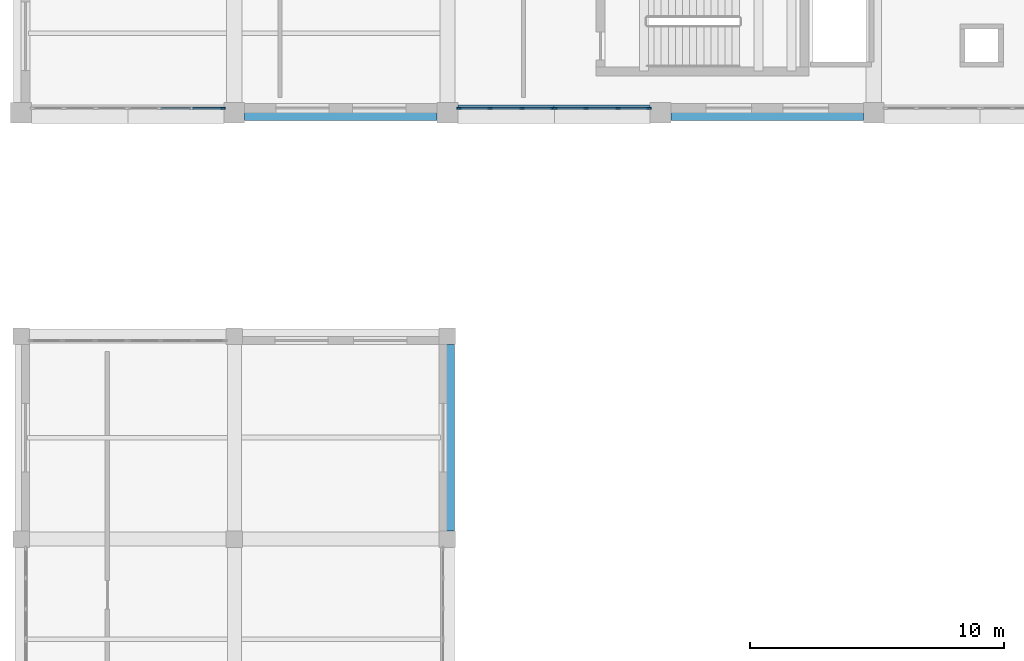
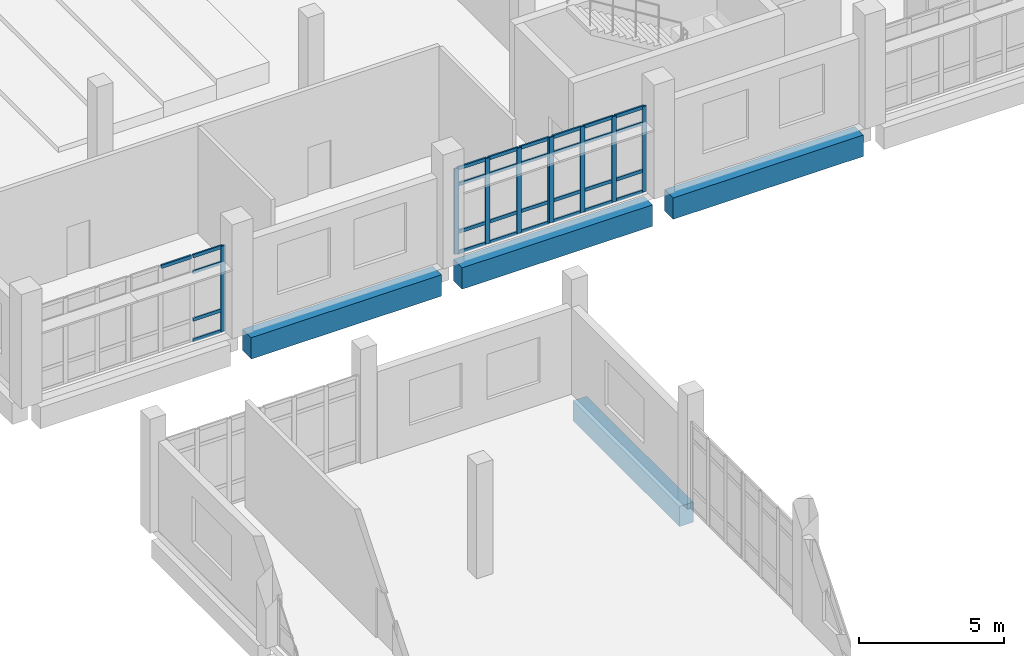
# One storey, part 22 of 90: 38 members, 4 beams, 3 elements without a shape of their own.
"""IFC4 building model written with IfcOpenShell, lengths in metres."""

from ifc_helpers import new_model, si_unit, direction, frame, origin, origin_2d, place, context, subcontext, project, spatial, rectangle, extrude, material, layer, layer_set, material_profile, profile_set, type_object, element, aggregate, save


model = new_model("IFC4")

# Units and contexts
model_context = context("Model", 3, precision=1e-05, world=origin(), true_north=direction((0.0, 1.0)))
body_context = subcontext(model_context, "Body", "Model", "MODEL_VIEW")
ifc_project = project(units=[si_unit("LENGTHUNIT", "METRE"), si_unit("AREAUNIT", "SQUARE_METRE"), si_unit("VOLUMEUNIT", "CUBIC_METRE"), si_unit("PLANEANGLEUNIT", "RADIAN"), si_unit("MASSUNIT", "GRAM", prefix="KILO")], contexts=[model_context])

# Site, building, storey
site_placement = place(None, origin())
site = spatial("IfcSite", under=ifc_project, at=site_placement, CompositionType="ELEMENT")
building_placement = place(site_placement, origin())
building = spatial("IfcBuilding", under=site, at=building_placement, Name="Kelarvand Opera House", CompositionType="ELEMENT")
storey_placement = place(building_placement, frame((0.0, 0.0, 5.39990234375)))
storey = spatial("IfcBuildingStorey", under=building, at=storey_placement, Name="L01", CompositionType="ELEMENT", Elevation=5.39990234375)

# Curtain wall, members
ifc_material_1 = material(Name="Thermally broken aluminium and low-E glazing", Category="aluminium")
ifc_layer = layer(ifc_material_1, 0.179931640625, Name="Thermally broken aluminium and low-E glazing", Category="aluminium")
ifc_layer_set = layer_set([ifc_layer], Name="Thermally broken aluminium and low-E glazing")
curtain_wall_type = type_object("IfcCurtainWallType", Name="Unitised Low-E Curtain Wall 3818x3600 Mod 1350 CWF-18", PredefinedType="USERDEFINED", material=ifc_layer_set)
curtain_wall_1_placement = place(storey_placement, origin())
curtain_wall_1 = element("IfcCurtainWall", 1, at=curtain_wall_1_placement, inside=storey, type_object=curtain_wall_type, Name="V3 L01 Curtain Wall CWF-18 (63)", ObjectType="UNITISED CURTAIN WALL", PredefinedType="USERDEFINED")
ifc_material_2 = material(Name="Thermally broken anodised aluminium", Category="aluminium")
ifc_material_profile_1 = material_profile(ifc_material_2, rectangle(XDim=0.06494140625, YDim=0.179931640625, at=origin_2d()), Name="ALU MULLION 65x180", Category="aluminium")
ifc_profile_set_1 = profile_set([ifc_material_profile_1], Name="Thermally broken anodised aluminium")
member_type_1 = type_object("IfcMemberType", Name="Curtain Wall Mullion 65x180 Aluminium", PredefinedType="MULLION", material=ifc_profile_set_1)
member_1_placement = place(storey_placement, frame((33.74755859375, 87.3798828125, 0.0), z_axis=(0.0, 0.0, 1.0), x_axis=(0.0, -1.0, 0.0)))
member_1 = element("IfcMember", 2, at=member_1_placement, type_object=member_type_1, Name="CWF-18 mullion 1", PredefinedType="MULLION", context=body_context, shape_type="SweptSolid", body=[
    extrude(rectangle(XDim=0.06494140625, YDim=0.179931640625, at=origin_2d()), origin(), (0.0, 0.0, 1.0), 3.60009765625),
])
member_2_placement = place(storey_placement, frame((32.521240234375, 87.3798828125, 0.0), z_axis=(0.0, 0.0, 1.0), x_axis=(0.0, -1.0, 0.0)))
member_2 = element("IfcMember", 3, at=member_2_placement, type_object=member_type_1, Name="CWF-18 mullion 2", PredefinedType="MULLION", context=body_context, shape_type="SweptSolid", body=[
    extrude(rectangle(XDim=0.06494140625, YDim=0.179931640625, at=origin_2d()), origin(), (0.0, 0.0, 1.0), 3.60009765625),
])
member_3_placement = place(storey_placement, frame((31.2626953125, 87.3798828125, 0.0), z_axis=(0.0, 0.0, 1.0), x_axis=(0.0, -1.0, 0.0)))
member_3 = element("IfcMember", 4, at=member_3_placement, type_object=member_type_1, Name="CWF-18 mullion 3", PredefinedType="MULLION", context=body_context, shape_type="SweptSolid", body=[
    extrude(rectangle(XDim=0.06494140625, YDim=0.179931640625, at=origin_2d()), origin(), (0.0, 0.0, 1.0), 3.60009765625),
])
member_4_placement = place(storey_placement, frame((30.03662109375, 87.3798828125, 0.0), z_axis=(0.0, 0.0, 1.0), x_axis=(0.0, -1.0, 0.0)))
member_4 = element("IfcMember", 5, at=member_4_placement, type_object=member_type_1, Name="CWF-18 mullion 4", PredefinedType="MULLION", context=body_context, shape_type="SweptSolid", body=[
    extrude(rectangle(XDim=0.06494140625, YDim=0.179931640625, at=origin_2d()), origin(), (0.0, 0.0, 1.0), 3.60009765625),
])

curtain_wall_2_placement = place(storey_placement, origin())
curtain_wall_2 = element("IfcCurtainWall", 6, at=curtain_wall_2_placement, inside=storey, type_object=curtain_wall_type, Name="V3 L01 Curtain Wall CWF-18 (64)", ObjectType="UNITISED CURTAIN WALL", PredefinedType="USERDEFINED")
member_5_placement = place(storey_placement, frame((29.967529296875, 87.3798828125, 0.0), z_axis=(0.0, 0.0, 1.0), x_axis=(0.0, -1.0, 0.0)))
member_5 = element("IfcMember", 7, at=member_5_placement, type_object=member_type_1, Name="CWF-18 mullion 1", PredefinedType="MULLION", context=body_context, shape_type="SweptSolid", body=[
    extrude(rectangle(XDim=0.06494140625, YDim=0.179931640625, at=origin_2d()), origin(), (0.0, 0.0, 1.0), 3.60009765625),
])
member_6_placement = place(storey_placement, frame((28.739990234375, 87.3798828125, 0.0), z_axis=(0.0, 0.0, 1.0), x_axis=(0.0, -1.0, 0.0)))
member_6 = element("IfcMember", 8, at=member_6_placement, type_object=member_type_1, Name="CWF-18 mullion 2", PredefinedType="MULLION", context=body_context, shape_type="SweptSolid", body=[
    extrude(rectangle(XDim=0.06494140625, YDim=0.179931640625, at=origin_2d()), origin(), (0.0, 0.0, 1.0), 3.60009765625),
])
member_7_placement = place(storey_placement, frame((27.47998046875, 87.3798828125, 0.0), z_axis=(0.0, 0.0, 1.0), x_axis=(0.0, -1.0, 0.0)))
member_7 = element("IfcMember", 9, at=member_7_placement, type_object=member_type_1, Name="CWF-18 mullion 3", PredefinedType="MULLION", context=body_context, shape_type="SweptSolid", body=[
    extrude(rectangle(XDim=0.06494140625, YDim=0.179931640625, at=origin_2d()), origin(), (0.0, 0.0, 1.0), 3.60009765625),
])
member_8_placement = place(storey_placement, frame((26.25244140625, 87.3798828125, 0.0), z_axis=(0.0, 0.0, 1.0), x_axis=(0.0, -1.0, 0.0)))
member_8 = element("IfcMember", 10, at=member_8_placement, type_object=member_type_1, Name="CWF-18 mullion 4", PredefinedType="MULLION", context=body_context, shape_type="SweptSolid", body=[
    extrude(rectangle(XDim=0.06494140625, YDim=0.179931640625, at=origin_2d()), origin(), (0.0, 0.0, 1.0), 3.60009765625),
])

# Curtain wall, member
curtain_wall_3_placement = place(storey_placement, origin())
curtain_wall_3 = element("IfcCurtainWall", 11, at=curtain_wall_3_placement, inside=storey, type_object=curtain_wall_type, Name="V3 L01 Curtain Wall CWF-18 (65)", ObjectType="UNITISED CURTAIN WALL", PredefinedType="USERDEFINED")
member_9_placement = place(storey_placement, frame((16.947509765625, 87.3798828125, 0.0), z_axis=(0.0, 0.0, 1.0), x_axis=(0.0, -1.0, 0.0)))
member_9 = element("IfcMember", 12, at=member_9_placement, type_object=member_type_1, Name="CWF-18 mullion 1", PredefinedType="MULLION", context=body_context, shape_type="SweptSolid", body=[
    extrude(rectangle(XDim=0.06494140625, YDim=0.179931640625, at=origin_2d()), origin(), (0.0, 0.0, 1.0), 3.60009765625),
])

# Member
ifc_material_profile_2 = material_profile(ifc_material_2, rectangle(XDim=0.06494140625, YDim=0.139892578125, at=origin_2d()), Name="ALU TRANSOM 65x140", Category="aluminium")
ifc_profile_set_2 = profile_set([ifc_material_profile_2], Name="Thermally broken anodised aluminium")
member_type_2 = type_object("IfcMemberType", Name="Curtain Wall Transom 65x140 Aluminium", PredefinedType="USERDEFINED", material=ifc_profile_set_2)
member_10_placement = place(storey_placement, frame((33.715087890625, 87.3798828125, 0.03271484375), z_axis=(-1.0, 0.0, 0.0), x_axis=(0.0, -1.0, 0.0)))
member_10 = element("IfcMember", 13, at=member_10_placement, type_object=member_type_2, Name="CWF-18 transom 1.1", ObjectType="TRANSOM", PredefinedType="USERDEFINED", context=body_context, shape_type="SweptSolid", body=[
    extrude(rectangle(XDim=0.06494140625, YDim=0.139892578125, at=origin_2d()), origin(), (0.0, 0.0, 1.0), 1.1611328125),
])

member_11_placement = place(storey_placement, frame((33.715087890625, 87.3798828125, 0.900146484375), z_axis=(-1.0, 0.0, 0.0), x_axis=(0.0, -1.0, 0.0)))
member_11 = element("IfcMember", 14, at=member_11_placement, type_object=member_type_2, Name="CWF-18 transom 1.2", ObjectType="TRANSOM", PredefinedType="USERDEFINED", context=body_context, shape_type="SweptSolid", body=[
    extrude(rectangle(XDim=0.06494140625, YDim=0.139892578125, at=origin_2d()), origin(), (0.0, 0.0, 1.0), 1.1611328125),
])

member_12_placement = place(storey_placement, frame((33.715087890625, 87.3798828125, 2.900146484375), z_axis=(-1.0, 0.0, 0.0), x_axis=(0.0, -1.0, 0.0)))
member_12 = element("IfcMember", 15, at=member_12_placement, type_object=member_type_2, Name="CWF-18 transom 1.3", ObjectType="TRANSOM", PredefinedType="USERDEFINED", context=body_context, shape_type="SweptSolid", body=[
    extrude(rectangle(XDim=0.06494140625, YDim=0.139892578125, at=origin_2d()), origin(), (0.0, 0.0, 1.0), 1.1611328125),
])

member_13_placement = place(storey_placement, frame((33.715087890625, 87.3798828125, 3.567626953125), z_axis=(-1.0, 0.0, 0.0), x_axis=(0.0, -1.0, 0.0)))
member_13 = element("IfcMember", 16, at=member_13_placement, type_object=member_type_2, Name="CWF-18 transom 1.4", ObjectType="TRANSOM", PredefinedType="USERDEFINED", context=body_context, shape_type="SweptSolid", body=[
    extrude(rectangle(XDim=0.06494140625, YDim=0.139892578125, at=origin_2d()), origin(), (0.0, 0.0, 1.0), 1.1611328125),
])

member_14_placement = place(storey_placement, frame((32.48876953125, 87.3798828125, 0.03271484375), z_axis=(-1.0, 0.0, 0.0), x_axis=(0.0, -1.0, 0.0)))
member_14 = element("IfcMember", 17, at=member_14_placement, type_object=member_type_2, Name="CWF-18 transom 2.1", ObjectType="TRANSOM", PredefinedType="USERDEFINED", context=body_context, shape_type="SweptSolid", body=[
    extrude(rectangle(XDim=0.06494140625, YDim=0.139892578125, at=origin_2d()), origin(), (0.0, 0.0, 1.0), 1.193603515625),
])

member_15_placement = place(storey_placement, frame((32.48876953125, 87.3798828125, 0.900146484375), z_axis=(-1.0, 0.0, 0.0), x_axis=(0.0, -1.0, 0.0)))
member_15 = element("IfcMember", 18, at=member_15_placement, type_object=member_type_2, Name="CWF-18 transom 2.2", ObjectType="TRANSOM", PredefinedType="USERDEFINED", context=body_context, shape_type="SweptSolid", body=[
    extrude(rectangle(XDim=0.06494140625, YDim=0.139892578125, at=origin_2d()), origin(), (0.0, 0.0, 1.0), 1.193603515625),
])

member_16_placement = place(storey_placement, frame((32.48876953125, 87.3798828125, 2.900146484375), z_axis=(-1.0, 0.0, 0.0), x_axis=(0.0, -1.0, 0.0)))
member_16 = element("IfcMember", 19, at=member_16_placement, type_object=member_type_2, Name="CWF-18 transom 2.3", ObjectType="TRANSOM", PredefinedType="USERDEFINED", context=body_context, shape_type="SweptSolid", body=[
    extrude(rectangle(XDim=0.06494140625, YDim=0.139892578125, at=origin_2d()), origin(), (0.0, 0.0, 1.0), 1.193603515625),
])

member_17_placement = place(storey_placement, frame((32.48876953125, 87.3798828125, 3.567626953125), z_axis=(-1.0, 0.0, 0.0), x_axis=(0.0, -1.0, 0.0)))
member_17 = element("IfcMember", 20, at=member_17_placement, type_object=member_type_2, Name="CWF-18 transom 2.4", ObjectType="TRANSOM", PredefinedType="USERDEFINED", context=body_context, shape_type="SweptSolid", body=[
    extrude(rectangle(XDim=0.06494140625, YDim=0.139892578125, at=origin_2d()), origin(), (0.0, 0.0, 1.0), 1.193603515625),
])

member_18_placement = place(storey_placement, frame((31.230224609375, 87.3798828125, 0.03271484375), z_axis=(-1.0, 0.0, 0.0), x_axis=(0.0, -1.0, 0.0)))
member_18 = element("IfcMember", 21, at=member_18_placement, type_object=member_type_2, Name="CWF-18 transom 3.1", ObjectType="TRANSOM", PredefinedType="USERDEFINED", context=body_context, shape_type="SweptSolid", body=[
    extrude(rectangle(XDim=0.06494140625, YDim=0.139892578125, at=origin_2d()), origin(), (0.0, 0.0, 1.0), 1.1611328125),
])

member_19_placement = place(storey_placement, frame((31.230224609375, 87.3798828125, 0.900146484375), z_axis=(-1.0, 0.0, 0.0), x_axis=(0.0, -1.0, 0.0)))
member_19 = element("IfcMember", 22, at=member_19_placement, type_object=member_type_2, Name="CWF-18 transom 3.2", ObjectType="TRANSOM", PredefinedType="USERDEFINED", context=body_context, shape_type="SweptSolid", body=[
    extrude(rectangle(XDim=0.06494140625, YDim=0.139892578125, at=origin_2d()), origin(), (0.0, 0.0, 1.0), 1.1611328125),
])

member_20_placement = place(storey_placement, frame((31.230224609375, 87.3798828125, 2.900146484375), z_axis=(-1.0, 0.0, 0.0), x_axis=(0.0, -1.0, 0.0)))
member_20 = element("IfcMember", 23, at=member_20_placement, type_object=member_type_2, Name="CWF-18 transom 3.3", ObjectType="TRANSOM", PredefinedType="USERDEFINED", context=body_context, shape_type="SweptSolid", body=[
    extrude(rectangle(XDim=0.06494140625, YDim=0.139892578125, at=origin_2d()), origin(), (0.0, 0.0, 1.0), 1.1611328125),
])

member_21_placement = place(storey_placement, frame((31.230224609375, 87.3798828125, 3.567626953125), z_axis=(-1.0, 0.0, 0.0), x_axis=(0.0, -1.0, 0.0)))
member_21 = element("IfcMember", 24, at=member_21_placement, type_object=member_type_2, Name="CWF-18 transom 3.4", ObjectType="TRANSOM", PredefinedType="USERDEFINED", context=body_context, shape_type="SweptSolid", body=[
    extrude(rectangle(XDim=0.06494140625, YDim=0.139892578125, at=origin_2d()), origin(), (0.0, 0.0, 1.0), 1.1611328125),
])

aggregate(curtain_wall_1, [member_1, member_2, member_3, member_4, member_10, member_11, member_12, member_13, member_14, member_15, member_16, member_17, member_18, member_19, member_20, member_21])

member_22_placement = place(storey_placement, frame((29.93505859375, 87.3798828125, 0.03271484375), z_axis=(-1.0, 0.0, 0.0), x_axis=(0.0, -1.0, 0.0)))
member_22 = element("IfcMember", 25, at=member_22_placement, type_object=member_type_2, Name="CWF-18 transom 1.1", ObjectType="TRANSOM", PredefinedType="USERDEFINED", context=body_context, shape_type="SweptSolid", body=[
    extrude(rectangle(XDim=0.06494140625, YDim=0.139892578125, at=origin_2d()), origin(), (0.0, 0.0, 1.0), 1.16259765625),
])

member_23_placement = place(storey_placement, frame((29.93505859375, 87.3798828125, 0.900146484375), z_axis=(-1.0, 0.0, 0.0), x_axis=(0.0, -1.0, 0.0)))
member_23 = element("IfcMember", 26, at=member_23_placement, type_object=member_type_2, Name="CWF-18 transom 1.2", ObjectType="TRANSOM", PredefinedType="USERDEFINED", context=body_context, shape_type="SweptSolid", body=[
    extrude(rectangle(XDim=0.06494140625, YDim=0.139892578125, at=origin_2d()), origin(), (0.0, 0.0, 1.0), 1.16259765625),
])

member_24_placement = place(storey_placement, frame((29.93505859375, 87.3798828125, 2.900146484375), z_axis=(-1.0, 0.0, 0.0), x_axis=(0.0, -1.0, 0.0)))
member_24 = element("IfcMember", 27, at=member_24_placement, type_object=member_type_2, Name="CWF-18 transom 1.3", ObjectType="TRANSOM", PredefinedType="USERDEFINED", context=body_context, shape_type="SweptSolid", body=[
    extrude(rectangle(XDim=0.06494140625, YDim=0.139892578125, at=origin_2d()), origin(), (0.0, 0.0, 1.0), 1.16259765625),
])

member_25_placement = place(storey_placement, frame((29.93505859375, 87.3798828125, 3.567626953125), z_axis=(-1.0, 0.0, 0.0), x_axis=(0.0, -1.0, 0.0)))
member_25 = element("IfcMember", 28, at=member_25_placement, type_object=member_type_2, Name="CWF-18 transom 1.4", ObjectType="TRANSOM", PredefinedType="USERDEFINED", context=body_context, shape_type="SweptSolid", body=[
    extrude(rectangle(XDim=0.06494140625, YDim=0.139892578125, at=origin_2d()), origin(), (0.0, 0.0, 1.0), 1.16259765625),
])

member_26_placement = place(storey_placement, frame((28.70751953125, 87.3798828125, 0.03271484375), z_axis=(-1.0, 0.0, 0.0), x_axis=(0.0, -1.0, 0.0)))
member_26 = element("IfcMember", 29, at=member_26_placement, type_object=member_type_2, Name="CWF-18 transom 2.1", ObjectType="TRANSOM", PredefinedType="USERDEFINED", context=body_context, shape_type="SweptSolid", body=[
    extrude(rectangle(XDim=0.06494140625, YDim=0.139892578125, at=origin_2d()), origin(), (0.0, 0.0, 1.0), 1.195068359375),
])

member_27_placement = place(storey_placement, frame((28.70751953125, 87.3798828125, 0.900146484375), z_axis=(-1.0, 0.0, 0.0), x_axis=(0.0, -1.0, 0.0)))
member_27 = element("IfcMember", 30, at=member_27_placement, type_object=member_type_2, Name="CWF-18 transom 2.2", ObjectType="TRANSOM", PredefinedType="USERDEFINED", context=body_context, shape_type="SweptSolid", body=[
    extrude(rectangle(XDim=0.06494140625, YDim=0.139892578125, at=origin_2d()), origin(), (0.0, 0.0, 1.0), 1.195068359375),
])

member_28_placement = place(storey_placement, frame((28.70751953125, 87.3798828125, 2.900146484375), z_axis=(-1.0, 0.0, 0.0), x_axis=(0.0, -1.0, 0.0)))
member_28 = element("IfcMember", 31, at=member_28_placement, type_object=member_type_2, Name="CWF-18 transom 2.3", ObjectType="TRANSOM", PredefinedType="USERDEFINED", context=body_context, shape_type="SweptSolid", body=[
    extrude(rectangle(XDim=0.06494140625, YDim=0.139892578125, at=origin_2d()), origin(), (0.0, 0.0, 1.0), 1.195068359375),
])

member_29_placement = place(storey_placement, frame((28.70751953125, 87.3798828125, 3.567626953125), z_axis=(-1.0, 0.0, 0.0), x_axis=(0.0, -1.0, 0.0)))
member_29 = element("IfcMember", 32, at=member_29_placement, type_object=member_type_2, Name="CWF-18 transom 2.4", ObjectType="TRANSOM", PredefinedType="USERDEFINED", context=body_context, shape_type="SweptSolid", body=[
    extrude(rectangle(XDim=0.06494140625, YDim=0.139892578125, at=origin_2d()), origin(), (0.0, 0.0, 1.0), 1.195068359375),
])

member_30_placement = place(storey_placement, frame((27.447509765625, 87.3798828125, 0.03271484375), z_axis=(-1.0, 0.0, 0.0), x_axis=(0.0, -1.0, 0.0)))
member_30 = element("IfcMember", 33, at=member_30_placement, type_object=member_type_2, Name="CWF-18 transom 3.1", ObjectType="TRANSOM", PredefinedType="USERDEFINED", context=body_context, shape_type="SweptSolid", body=[
    extrude(rectangle(XDim=0.06494140625, YDim=0.139892578125, at=origin_2d()), origin(), (0.0, 0.0, 1.0), 1.16259765625),
])

member_31_placement = place(storey_placement, frame((27.447509765625, 87.3798828125, 0.900146484375), z_axis=(-1.0, 0.0, 0.0), x_axis=(0.0, -1.0, 0.0)))
member_31 = element("IfcMember", 34, at=member_31_placement, type_object=member_type_2, Name="CWF-18 transom 3.2", ObjectType="TRANSOM", PredefinedType="USERDEFINED", context=body_context, shape_type="SweptSolid", body=[
    extrude(rectangle(XDim=0.06494140625, YDim=0.139892578125, at=origin_2d()), origin(), (0.0, 0.0, 1.0), 1.16259765625),
])

member_32_placement = place(storey_placement, frame((27.447509765625, 87.3798828125, 2.900146484375), z_axis=(-1.0, 0.0, 0.0), x_axis=(0.0, -1.0, 0.0)))
member_32 = element("IfcMember", 35, at=member_32_placement, type_object=member_type_2, Name="CWF-18 transom 3.3", ObjectType="TRANSOM", PredefinedType="USERDEFINED", context=body_context, shape_type="SweptSolid", body=[
    extrude(rectangle(XDim=0.06494140625, YDim=0.139892578125, at=origin_2d()), origin(), (0.0, 0.0, 1.0), 1.16259765625),
])

member_33_placement = place(storey_placement, frame((27.447509765625, 87.3798828125, 3.567626953125), z_axis=(-1.0, 0.0, 0.0), x_axis=(0.0, -1.0, 0.0)))
member_33 = element("IfcMember", 36, at=member_33_placement, type_object=member_type_2, Name="CWF-18 transom 3.4", ObjectType="TRANSOM", PredefinedType="USERDEFINED", context=body_context, shape_type="SweptSolid", body=[
    extrude(rectangle(XDim=0.06494140625, YDim=0.139892578125, at=origin_2d()), origin(), (0.0, 0.0, 1.0), 1.16259765625),
])

aggregate(curtain_wall_2, [member_5, member_6, member_7, member_8, member_22, member_23, member_24, member_25, member_26, member_27, member_28, member_29, member_30, member_31, member_32, member_33])

member_34_placement = place(storey_placement, frame((16.9150390625, 87.3798828125, 0.03271484375), z_axis=(-1.0, 0.0, 0.0), x_axis=(0.0, -1.0, 0.0)))
member_34 = element("IfcMember", 37, at=member_34_placement, type_object=member_type_2, Name="CWF-18 transom 1.1", ObjectType="TRANSOM", PredefinedType="USERDEFINED", context=body_context, shape_type="SweptSolid", body=[
    extrude(rectangle(XDim=0.06494140625, YDim=0.139892578125, at=origin_2d()), origin(), (0.0, 0.0, 1.0), 1.1611328125),
])

member_35_placement = place(storey_placement, frame((16.9150390625, 87.3798828125, 0.900146484375), z_axis=(-1.0, 0.0, 0.0), x_axis=(0.0, -1.0, 0.0)))
member_35 = element("IfcMember", 38, at=member_35_placement, type_object=member_type_2, Name="CWF-18 transom 1.2", ObjectType="TRANSOM", PredefinedType="USERDEFINED", context=body_context, shape_type="SweptSolid", body=[
    extrude(rectangle(XDim=0.06494140625, YDim=0.139892578125, at=origin_2d()), origin(), (0.0, 0.0, 1.0), 1.1611328125),
])

member_36_placement = place(storey_placement, frame((16.9150390625, 87.3798828125, 2.900146484375), z_axis=(-1.0, 0.0, 0.0), x_axis=(0.0, -1.0, 0.0)))
member_36 = element("IfcMember", 39, at=member_36_placement, type_object=member_type_2, Name="CWF-18 transom 1.3", ObjectType="TRANSOM", PredefinedType="USERDEFINED", context=body_context, shape_type="SweptSolid", body=[
    extrude(rectangle(XDim=0.06494140625, YDim=0.139892578125, at=origin_2d()), origin(), (0.0, 0.0, 1.0), 1.1611328125),
])

member_37_placement = place(storey_placement, frame((16.9150390625, 87.3798828125, 3.567626953125), z_axis=(-1.0, 0.0, 0.0), x_axis=(0.0, -1.0, 0.0)))
member_37 = element("IfcMember", 40, at=member_37_placement, type_object=member_type_2, Name="CWF-18 transom 1.4", ObjectType="TRANSOM", PredefinedType="USERDEFINED", context=body_context, shape_type="SweptSolid", body=[
    extrude(rectangle(XDim=0.06494140625, YDim=0.139892578125, at=origin_2d()), origin(), (0.0, 0.0, 1.0), 1.1611328125),
])

member_38_placement = place(storey_placement, frame((15.688720703125, 87.3798828125, 3.567626953125), z_axis=(-1.0, 0.0, 0.0), x_axis=(0.0, -1.0, 0.0)))
member_38 = element("IfcMember", 41, at=member_38_placement, type_object=member_type_2, Name="CWF-18 transom 2.4", ObjectType="TRANSOM", PredefinedType="USERDEFINED", context=body_context, shape_type="SweptSolid", body=[
    extrude(rectangle(XDim=0.06494140625, YDim=0.139892578125, at=origin_2d()), origin(), (0.0, 0.0, 1.0), 1.193603515625),
])

aggregate(curtain_wall_3, [member_9, member_34, member_35, member_36, member_37, member_38])

# Beams
ifc_material_3 = material(Name="Concrete C40/50", Category="concrete")
ifc_material_profile_3 = material_profile(ifc_material_3, rectangle(XDim=0.550048828125, YDim=0.85009765625, at=origin_2d()), Name="RC 550x850", Category="concrete")
ifc_profile_set_3 = profile_set([ifc_material_profile_3], Name="Concrete C40/50")
beam_type_1 = type_object("IfcBeamType", Name="Structural Beam RC 550x850 BM-RC550x850", PredefinedType="BEAM", material=ifc_profile_set_3)
beam_1_placement = place(storey_placement, frame((25.800048828125, 70.72509765625, -0.724853515625), z_axis=(0.0, 1.0, 0.0), x_axis=(-1.0, 0.0, 0.0)))
element("IfcBeam", 42, at=beam_1_placement, inside=storey, type_object=beam_type_1, Name="V4 L01 Beam BM-RC550x850", PredefinedType="BEAM", context=body_context, shape_type="SweptSolid", body=[
    extrude(rectangle(XDim=0.550048828125, YDim=0.85009765625, at=origin_2d()), origin(), (0.0, 0.0, 1.0), 7.349853515625),
])
ifc_material_profile_4 = material_profile(ifc_material_3, rectangle(XDim=0.60009765625, YDim=0.89990234375, at=origin_2d()), Name="RC 600x900", Category="concrete")
ifc_profile_set_4 = profile_set([ifc_material_profile_4], Name="Concrete C40/50")
beam_type_2 = type_object("IfcBeamType", Name="Structural Spandrel RC 600x900 SP-RC600x900E", PredefinedType="SPANDREL", material=ifc_profile_set_4)
beam_2_placement = place(storey_placement, frame((17.81005859375, 87.199951171875, -0.75), z_axis=(1.0, 0.0, 0.0), x_axis=(0.0, 1.0, 0.0)))
element("IfcBeam", 43, at=beam_2_placement, inside=storey, type_object=beam_type_2, Name="V3 L01 Beam SP-RC600x900E", PredefinedType="SPANDREL", context=body_context, shape_type="SweptSolid", body=[
    extrude(rectangle(XDim=0.60009765625, YDim=0.89990234375, at=origin_2d()), origin(), (0.0, 0.0, 1.0), 7.579833984375),
])
beam_3_placement = place(storey_placement, frame((26.2099609375, 87.199951171875, -0.75), z_axis=(1.0, 0.0, 0.0), x_axis=(0.0, 1.0, 0.0)))
element("IfcBeam", 44, at=beam_3_placement, inside=storey, type_object=beam_type_2, Name="V3 L01 Beam SP-RC600x900E", PredefinedType="SPANDREL", context=body_context, shape_type="SweptSolid", body=[
    extrude(rectangle(XDim=0.60009765625, YDim=0.89990234375, at=origin_2d()), origin(), (0.0, 0.0, 1.0), 7.580078125),
])
beam_4_placement = place(storey_placement, frame((34.610107421875, 87.199951171875, -0.75), z_axis=(1.0, 0.0, 0.0), x_axis=(0.0, 1.0, 0.0)))
element("IfcBeam", 45, at=beam_4_placement, inside=storey, type_object=beam_type_2, Name="V3 L01 Beam SP-RC600x900E", PredefinedType="SPANDREL", context=body_context, shape_type="SweptSolid", body=[
    extrude(rectangle(XDim=0.60009765625, YDim=0.89990234375, at=origin_2d()), origin(), (0.0, 0.0, 1.0), 7.579833984375),
])

save(model, "model.ifc")
